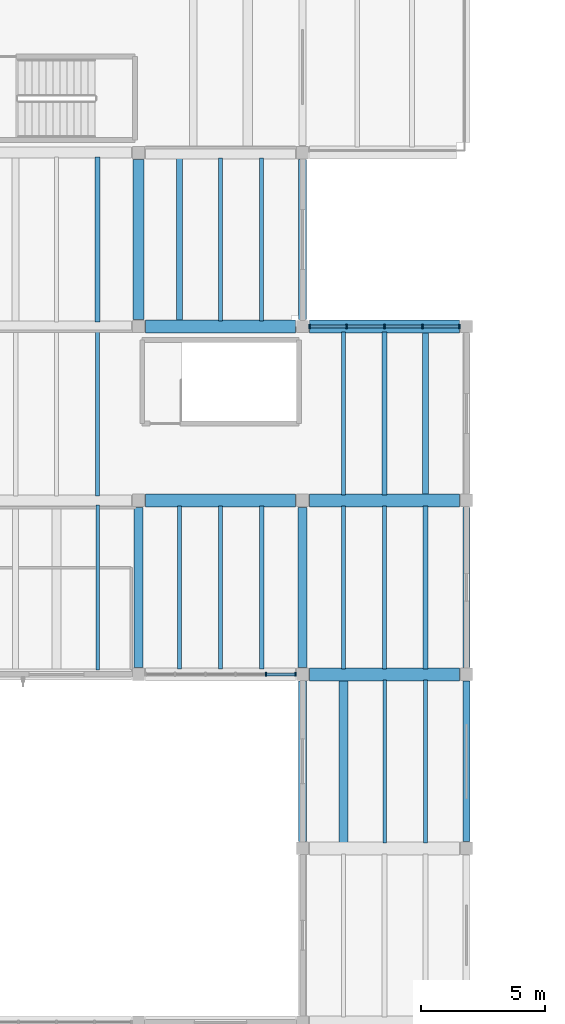
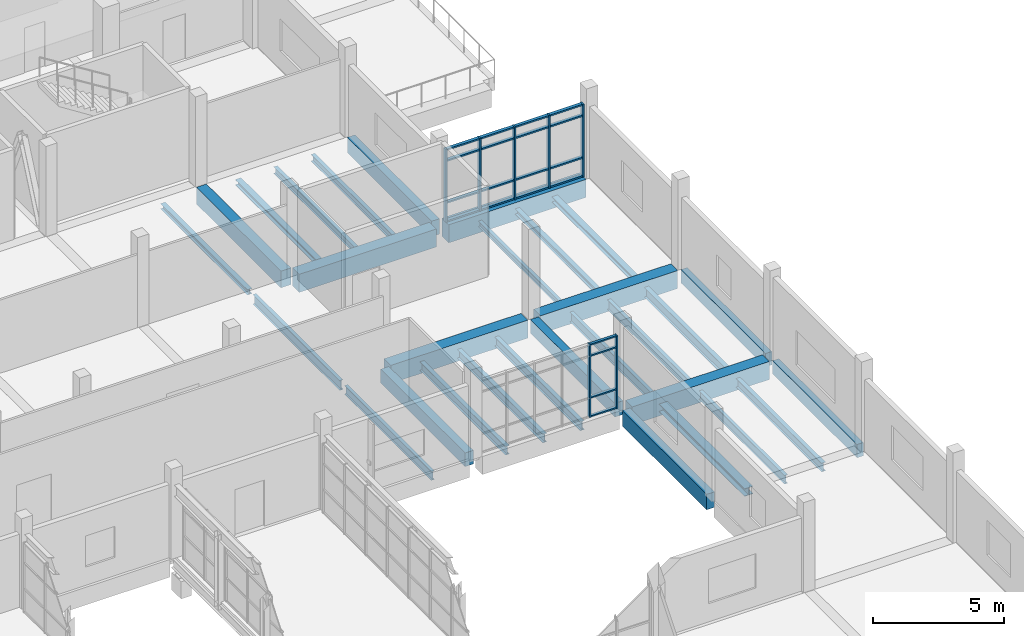
# One storey, part 30 of 65: 30 beams, 27 members, 2 elements without a shape of their own.
"""IFC4 building model written with IfcOpenShell, lengths in metres."""

from ifc_helpers import new_model, si_unit, direction, frame, origin, origin_2d, place, context, subcontext, project, spatial, rectangle, i_section, extrude, material, material_profile, profile_set, type_object, element, aggregate, save


model = new_model("IFC4")

# Units and contexts
model_context = context("Model", 3, precision=1e-05, world=origin(), true_north=direction((0.0, 1.0)))
body_context = subcontext(model_context, "Body", "Model", "MODEL_VIEW")
ifc_project = project(units=[si_unit("LENGTHUNIT", "METRE"), si_unit("AREAUNIT", "SQUARE_METRE"), si_unit("VOLUMEUNIT", "CUBIC_METRE"), si_unit("PLANEANGLEUNIT", "RADIAN"), si_unit("MASSUNIT", "GRAM", prefix="KILO")], contexts=[model_context])

# Site, building, storey
site_placement = place(None, origin())
site = spatial("IfcSite", under=ifc_project, at=site_placement, CompositionType="ELEMENT")
building_placement = place(site_placement, origin())
building = spatial("IfcBuilding", under=site, at=building_placement, Name="Ciguamira Faculty of Natural Sciences", CompositionType="ELEMENT")
storey_placement = place(building_placement, frame((0.0, 0.0, 12.60009765625)))
storey = spatial("IfcBuildingStorey", under=building, at=storey_placement, Name="L03", CompositionType="ELEMENT", Elevation=12.60009765625)

# Curtain wall, members
ifc_material_1 = material(Name="Anodized aluminium curtain wall", Category="aluminium")
curtain_wall_type_1 = type_object("IfcCurtainWallType", Name="CurtainWall_CW-10", PredefinedType="USERDEFINED", material=ifc_material_1)
curtain_wall_1_placement = place(storey_placement, origin())
curtain_wall_1 = element("IfcCurtainWall", 1, at=curtain_wall_1_placement, inside=storey, type_object=curtain_wall_type_1, Name="L03 unitised curtain wall 0094", ObjectType="UNITISED CURTAIN WALL", PredefinedType="USERDEFINED")
ifc_material_2 = material(Name="Anodized aluminium mullion", Category="aluminium")
ifc_material_profile_1 = material_profile(ifc_material_2, rectangle(XDim=0.06005859375, YDim=0.159912109375, at=origin_2d()), Name="ALU-MUL-60X160")
ifc_profile_set_1 = profile_set([ifc_material_profile_1], Name="Anodized aluminium mullion")
member_type_1 = type_object("IfcMemberType", Name="CWMullion_CWM-01", PredefinedType="MULLION", material=ifc_profile_set_1)
member_1_placement = place(storey_placement, frame((108.6298828125, 73.0, 0.0), z_axis=(0.0, 0.0, 1.0), x_axis=(1.0, 0.0, 0.0)))
member_1 = element("IfcMember", 2, at=member_1_placement, type_object=member_type_1, Name="CW-10 mullion 5", PredefinedType="MULLION", context=body_context, shape_type="SweptSolid", body=[
    extrude(rectangle(XDim=0.06005859375, YDim=0.159912109375, at=origin_2d()), origin(), (0.0, 0.0, 1.0), 3.40478515625),
])
member_2_placement = place(storey_placement, frame((109.820068359375, 73.0, 0.0), z_axis=(0.0, 0.0, 1.0), x_axis=(1.0, 0.0, 0.0)))
member_2 = element("IfcMember", 3, at=member_2_placement, type_object=member_type_1, Name="CW-10 mullion 6", PredefinedType="MULLION", context=body_context, shape_type="SweptSolid", body=[
    extrude(rectangle(XDim=0.06005859375, YDim=0.159912109375, at=origin_2d()), origin(), (0.0, 0.0, 1.0), 3.40478515625),
])

curtain_wall_type_2 = type_object("IfcCurtainWallType", Name="CurtainWall_CW-11", PredefinedType="USERDEFINED", material=ifc_material_1)
curtain_wall_2_placement = place(storey_placement, origin())
curtain_wall_2 = element("IfcCurtainWall", 4, at=curtain_wall_2_placement, inside=storey, type_object=curtain_wall_type_2, Name="L03 unitised curtain wall 0095", ObjectType="UNITISED CURTAIN WALL", PredefinedType="USERDEFINED")
ifc_material_profile_2 = material_profile(ifc_material_2, rectangle(XDim=0.070068359375, YDim=0.179931640625, at=origin_2d()), Name="ALU-MUL-70X180")
ifc_profile_set_2 = profile_set([ifc_material_profile_2], Name="Anodized aluminium mullion")
member_type_2 = type_object("IfcMemberType", Name="CWMullion_CWM-02", PredefinedType="MULLION", material=ifc_profile_set_2)
member_3_placement = place(storey_placement, frame((110.385009765625, 87.0, 0.0), z_axis=(0.0, 0.0, 1.0), x_axis=(1.0, 0.0, 0.0)))
member_3 = element("IfcMember", 5, at=member_3_placement, type_object=member_type_2, Name="CW-11 mullion 1", PredefinedType="MULLION", context=body_context, shape_type="SweptSolid", body=[
    extrude(rectangle(XDim=0.070068359375, YDim=0.179931640625, at=origin_2d()), origin(), (0.0, 0.0, 1.0), 3.40478515625),
])
member_4_placement = place(storey_placement, frame((111.875, 87.0, 0.0), z_axis=(0.0, 0.0, 1.0), x_axis=(1.0, 0.0, 0.0)))
member_4 = element("IfcMember", 6, at=member_4_placement, type_object=member_type_2, Name="CW-11 mullion 2", PredefinedType="MULLION", context=body_context, shape_type="SweptSolid", body=[
    extrude(rectangle(XDim=0.070068359375, YDim=0.179931640625, at=origin_2d()), origin(), (0.0, 0.0, 1.0), 3.40478515625),
])
member_5_placement = place(storey_placement, frame((113.39990234375, 87.0, 0.0), z_axis=(0.0, 0.0, 1.0), x_axis=(1.0, 0.0, 0.0)))
member_5 = element("IfcMember", 7, at=member_5_placement, type_object=member_type_2, Name="CW-11 mullion 3", PredefinedType="MULLION", context=body_context, shape_type="SweptSolid", body=[
    extrude(rectangle(XDim=0.070068359375, YDim=0.179931640625, at=origin_2d()), origin(), (0.0, 0.0, 1.0), 3.40478515625),
])
member_6_placement = place(storey_placement, frame((114.925048828125, 87.0, 0.0), z_axis=(0.0, 0.0, 1.0), x_axis=(1.0, 0.0, 0.0)))
member_6 = element("IfcMember", 8, at=member_6_placement, type_object=member_type_2, Name="CW-11 mullion 4", PredefinedType="MULLION", context=body_context, shape_type="SweptSolid", body=[
    extrude(rectangle(XDim=0.070068359375, YDim=0.179931640625, at=origin_2d()), origin(), (0.0, 0.0, 1.0), 3.40478515625),
])
member_7_placement = place(storey_placement, frame((116.4150390625, 87.0, 0.0), z_axis=(0.0, 0.0, 1.0), x_axis=(1.0, 0.0, 0.0)))
member_7 = element("IfcMember", 9, at=member_7_placement, type_object=member_type_2, Name="CW-11 mullion 5", PredefinedType="MULLION", context=body_context, shape_type="SweptSolid", body=[
    extrude(rectangle(XDim=0.070068359375, YDim=0.179931640625, at=origin_2d()), origin(), (0.0, 0.0, 1.0), 3.40478515625),
])

# Member
ifc_material_3 = material(Name="Anodized aluminium transom", Category="aluminium")
ifc_material_profile_3 = material_profile(ifc_material_3, rectangle(XDim=0.06005859375, YDim=0.1201171875, at=origin_2d()), Name="ALU-TRN-60X120")
ifc_profile_set_3 = profile_set([ifc_material_profile_3], Name="Anodized aluminium transom")
member_type_3 = type_object("IfcMemberType", Name="CWTransom_CWT-01", PredefinedType="USERDEFINED", material=ifc_profile_set_3)
member_8_placement = place(storey_placement, frame((108.659912109375, 73.0, 0.02978515625), z_axis=(1.0, 0.0, 0.0), x_axis=(0.0, 0.0, 1.0)))
member_8 = element("IfcMember", 10, at=member_8_placement, type_object=member_type_3, Name="CW-10 transom 5.1", ObjectType="TRANSOM", PredefinedType="USERDEFINED", context=body_context, shape_type="SweptSolid", body=[
    extrude(rectangle(XDim=0.06005859375, YDim=0.1201171875, at=origin_2d()), origin(), (0.0, 0.0, 1.0), 1.130126953125),
])

member_9_placement = place(storey_placement, frame((108.659912109375, 73.0, 0.89990234375), z_axis=(1.0, 0.0, 0.0), x_axis=(0.0, 0.0, 1.0)))
member_9 = element("IfcMember", 11, at=member_9_placement, type_object=member_type_3, Name="CW-10 transom 5.2", ObjectType="TRANSOM", PredefinedType="USERDEFINED", context=body_context, shape_type="SweptSolid", body=[
    extrude(rectangle(XDim=0.06005859375, YDim=0.1201171875, at=origin_2d()), origin(), (0.0, 0.0, 1.0), 1.130126953125),
])

member_10_placement = place(storey_placement, frame((108.659912109375, 73.0, 2.85498046875), z_axis=(1.0, 0.0, 0.0), x_axis=(0.0, 0.0, 1.0)))
member_10 = element("IfcMember", 12, at=member_10_placement, type_object=member_type_3, Name="CW-10 transom 5.3", ObjectType="TRANSOM", PredefinedType="USERDEFINED", context=body_context, shape_type="SweptSolid", body=[
    extrude(rectangle(XDim=0.06005859375, YDim=0.1201171875, at=origin_2d()), origin(), (0.0, 0.0, 1.0), 1.130126953125),
])

member_11_placement = place(storey_placement, frame((108.659912109375, 73.0, 3.375), z_axis=(1.0, 0.0, 0.0), x_axis=(0.0, 0.0, 1.0)))
member_11 = element("IfcMember", 13, at=member_11_placement, type_object=member_type_3, Name="CW-10 transom 5.4", ObjectType="TRANSOM", PredefinedType="USERDEFINED", context=body_context, shape_type="SweptSolid", body=[
    extrude(rectangle(XDim=0.06005859375, YDim=0.1201171875, at=origin_2d()), origin(), (0.0, 0.0, 1.0), 1.130126953125),
])

aggregate(curtain_wall_1, [member_1, member_2, member_8, member_9, member_10, member_11])

ifc_material_profile_4 = material_profile(ifc_material_3, rectangle(XDim=0.070068359375, YDim=0.139892578125, at=origin_2d()), Name="ALU-TRN-70X140")
ifc_profile_set_4 = profile_set([ifc_material_profile_4], Name="Anodized aluminium transom")
member_type_4 = type_object("IfcMemberType", Name="CWTransom_CWT-02", PredefinedType="USERDEFINED", material=ifc_profile_set_4)
member_12_placement = place(storey_placement, frame((110.419921875, 87.0, 0.034912109375), z_axis=(1.0, 0.0, 0.0), x_axis=(0.0, 0.0, 1.0)))
member_12 = element("IfcMember", 14, at=member_12_placement, type_object=member_type_4, Name="CW-11 transom 1.1", ObjectType="TRANSOM", PredefinedType="USERDEFINED", context=body_context, shape_type="SweptSolid", body=[
    extrude(rectangle(XDim=0.070068359375, YDim=0.139892578125, at=origin_2d()), origin(), (0.0, 0.0, 1.0), 1.420166015625),
])

member_13_placement = place(storey_placement, frame((110.419921875, 87.0, 0.89990234375), z_axis=(1.0, 0.0, 0.0), x_axis=(0.0, 0.0, 1.0)))
member_13 = element("IfcMember", 15, at=member_13_placement, type_object=member_type_4, Name="CW-11 transom 1.2", ObjectType="TRANSOM", PredefinedType="USERDEFINED", context=body_context, shape_type="SweptSolid", body=[
    extrude(rectangle(XDim=0.070068359375, YDim=0.139892578125, at=origin_2d()), origin(), (0.0, 0.0, 1.0), 1.420166015625),
])

member_14_placement = place(storey_placement, frame((110.419921875, 87.0, 2.85498046875), z_axis=(1.0, 0.0, 0.0), x_axis=(0.0, 0.0, 1.0)))
member_14 = element("IfcMember", 16, at=member_14_placement, type_object=member_type_4, Name="CW-11 transom 1.3", ObjectType="TRANSOM", PredefinedType="USERDEFINED", context=body_context, shape_type="SweptSolid", body=[
    extrude(rectangle(XDim=0.070068359375, YDim=0.139892578125, at=origin_2d()), origin(), (0.0, 0.0, 1.0), 1.420166015625),
])

member_15_placement = place(storey_placement, frame((110.419921875, 87.0, 3.369873046875), z_axis=(1.0, 0.0, 0.0), x_axis=(0.0, 0.0, 1.0)))
member_15 = element("IfcMember", 17, at=member_15_placement, type_object=member_type_4, Name="CW-11 transom 1.4", ObjectType="TRANSOM", PredefinedType="USERDEFINED", context=body_context, shape_type="SweptSolid", body=[
    extrude(rectangle(XDim=0.070068359375, YDim=0.139892578125, at=origin_2d()), origin(), (0.0, 0.0, 1.0), 1.420166015625),
])

member_16_placement = place(storey_placement, frame((111.909912109375, 87.0, 0.034912109375), z_axis=(1.0, 0.0, 0.0), x_axis=(0.0, 0.0, 1.0)))
member_16 = element("IfcMember", 18, at=member_16_placement, type_object=member_type_4, Name="CW-11 transom 2.1", ObjectType="TRANSOM", PredefinedType="USERDEFINED", context=body_context, shape_type="SweptSolid", body=[
    extrude(rectangle(XDim=0.070068359375, YDim=0.139892578125, at=origin_2d()), origin(), (0.0, 0.0, 1.0), 1.455078125),
])

member_17_placement = place(storey_placement, frame((111.909912109375, 87.0, 0.89990234375), z_axis=(1.0, 0.0, 0.0), x_axis=(0.0, 0.0, 1.0)))
member_17 = element("IfcMember", 19, at=member_17_placement, type_object=member_type_4, Name="CW-11 transom 2.2", ObjectType="TRANSOM", PredefinedType="USERDEFINED", context=body_context, shape_type="SweptSolid", body=[
    extrude(rectangle(XDim=0.070068359375, YDim=0.139892578125, at=origin_2d()), origin(), (0.0, 0.0, 1.0), 1.455078125),
])

member_18_placement = place(storey_placement, frame((111.909912109375, 87.0, 2.85498046875), z_axis=(1.0, 0.0, 0.0), x_axis=(0.0, 0.0, 1.0)))
member_18 = element("IfcMember", 20, at=member_18_placement, type_object=member_type_4, Name="CW-11 transom 2.3", ObjectType="TRANSOM", PredefinedType="USERDEFINED", context=body_context, shape_type="SweptSolid", body=[
    extrude(rectangle(XDim=0.070068359375, YDim=0.139892578125, at=origin_2d()), origin(), (0.0, 0.0, 1.0), 1.455078125),
])

member_19_placement = place(storey_placement, frame((111.909912109375, 87.0, 3.369873046875), z_axis=(1.0, 0.0, 0.0), x_axis=(0.0, 0.0, 1.0)))
member_19 = element("IfcMember", 21, at=member_19_placement, type_object=member_type_4, Name="CW-11 transom 2.4", ObjectType="TRANSOM", PredefinedType="USERDEFINED", context=body_context, shape_type="SweptSolid", body=[
    extrude(rectangle(XDim=0.070068359375, YDim=0.139892578125, at=origin_2d()), origin(), (0.0, 0.0, 1.0), 1.455078125),
])

member_20_placement = place(storey_placement, frame((113.43505859375, 87.0, 0.034912109375), z_axis=(1.0, 0.0, 0.0), x_axis=(0.0, 0.0, 1.0)))
member_20 = element("IfcMember", 22, at=member_20_placement, type_object=member_type_4, Name="CW-11 transom 3.1", ObjectType="TRANSOM", PredefinedType="USERDEFINED", context=body_context, shape_type="SweptSolid", body=[
    extrude(rectangle(XDim=0.070068359375, YDim=0.139892578125, at=origin_2d()), origin(), (0.0, 0.0, 1.0), 1.454833984375),
])

member_21_placement = place(storey_placement, frame((113.43505859375, 87.0, 0.89990234375), z_axis=(1.0, 0.0, 0.0), x_axis=(0.0, 0.0, 1.0)))
member_21 = element("IfcMember", 23, at=member_21_placement, type_object=member_type_4, Name="CW-11 transom 3.2", ObjectType="TRANSOM", PredefinedType="USERDEFINED", context=body_context, shape_type="SweptSolid", body=[
    extrude(rectangle(XDim=0.070068359375, YDim=0.139892578125, at=origin_2d()), origin(), (0.0, 0.0, 1.0), 1.454833984375),
])

member_22_placement = place(storey_placement, frame((113.43505859375, 87.0, 2.85498046875), z_axis=(1.0, 0.0, 0.0), x_axis=(0.0, 0.0, 1.0)))
member_22 = element("IfcMember", 24, at=member_22_placement, type_object=member_type_4, Name="CW-11 transom 3.3", ObjectType="TRANSOM", PredefinedType="USERDEFINED", context=body_context, shape_type="SweptSolid", body=[
    extrude(rectangle(XDim=0.070068359375, YDim=0.139892578125, at=origin_2d()), origin(), (0.0, 0.0, 1.0), 1.454833984375),
])

member_23_placement = place(storey_placement, frame((113.43505859375, 87.0, 3.369873046875), z_axis=(1.0, 0.0, 0.0), x_axis=(0.0, 0.0, 1.0)))
member_23 = element("IfcMember", 25, at=member_23_placement, type_object=member_type_4, Name="CW-11 transom 3.4", ObjectType="TRANSOM", PredefinedType="USERDEFINED", context=body_context, shape_type="SweptSolid", body=[
    extrude(rectangle(XDim=0.070068359375, YDim=0.139892578125, at=origin_2d()), origin(), (0.0, 0.0, 1.0), 1.454833984375),
])

member_24_placement = place(storey_placement, frame((114.9599609375, 87.0, 0.034912109375), z_axis=(1.0, 0.0, 0.0), x_axis=(0.0, 0.0, 1.0)))
member_24 = element("IfcMember", 26, at=member_24_placement, type_object=member_type_4, Name="CW-11 transom 4.1", ObjectType="TRANSOM", PredefinedType="USERDEFINED", context=body_context, shape_type="SweptSolid", body=[
    extrude(rectangle(XDim=0.070068359375, YDim=0.139892578125, at=origin_2d()), origin(), (0.0, 0.0, 1.0), 1.419921875),
])

member_25_placement = place(storey_placement, frame((114.9599609375, 87.0, 0.89990234375), z_axis=(1.0, 0.0, 0.0), x_axis=(0.0, 0.0, 1.0)))
member_25 = element("IfcMember", 27, at=member_25_placement, type_object=member_type_4, Name="CW-11 transom 4.2", ObjectType="TRANSOM", PredefinedType="USERDEFINED", context=body_context, shape_type="SweptSolid", body=[
    extrude(rectangle(XDim=0.070068359375, YDim=0.139892578125, at=origin_2d()), origin(), (0.0, 0.0, 1.0), 1.419921875),
])

member_26_placement = place(storey_placement, frame((114.9599609375, 87.0, 2.85498046875), z_axis=(1.0, 0.0, 0.0), x_axis=(0.0, 0.0, 1.0)))
member_26 = element("IfcMember", 28, at=member_26_placement, type_object=member_type_4, Name="CW-11 transom 4.3", ObjectType="TRANSOM", PredefinedType="USERDEFINED", context=body_context, shape_type="SweptSolid", body=[
    extrude(rectangle(XDim=0.070068359375, YDim=0.139892578125, at=origin_2d()), origin(), (0.0, 0.0, 1.0), 1.419921875),
])

member_27_placement = place(storey_placement, frame((114.9599609375, 87.0, 3.369873046875), z_axis=(1.0, 0.0, 0.0), x_axis=(0.0, 0.0, 1.0)))
member_27 = element("IfcMember", 29, at=member_27_placement, type_object=member_type_4, Name="CW-11 transom 4.4", ObjectType="TRANSOM", PredefinedType="USERDEFINED", context=body_context, shape_type="SweptSolid", body=[
    extrude(rectangle(XDim=0.070068359375, YDim=0.139892578125, at=origin_2d()), origin(), (0.0, 0.0, 1.0), 1.419921875),
])

aggregate(curtain_wall_2, [member_3, member_4, member_5, member_6, member_7, member_12, member_13, member_14, member_15, member_16, member_17, member_18, member_19, member_20, member_21, member_22, member_23, member_24, member_25, member_26, member_27])

# Beams
ifc_material_4 = material(Name="Concrete C40/50", Category="concrete")
ifc_material_profile_5 = material_profile(ifc_material_4, rectangle(XDim=0.43994140625, YDim=0.780029296875, at=origin_2d()), Name="RC-BM-440X780")
ifc_profile_set_5 = profile_set([ifc_material_profile_5], Name="Concrete C40/50")
beam_type_1 = type_object("IfcBeamType", Name="RCBeam_BG-06_RC-BM-440X780", PredefinedType="BEAM", material=ifc_profile_set_5)
beam_1_placement = place(storey_placement, frame((103.5, 87.27490234375, -0.39013671875), z_axis=(0.0, 1.0, 0.0), x_axis=(-1.0, 0.0, 0.0)))
element("IfcBeam", 30, at=beam_1_placement, inside=storey, type_object=beam_type_1, Name="L03 girder NS-1291", PredefinedType="BEAM", context=body_context, shape_type="SweptSolid", body=[
    extrude(rectangle(XDim=0.43994140625, YDim=0.780029296875, at=origin_2d()), origin(), (0.0, 0.0, 1.0), 6.4501953125),
])
ifc_material_profile_6 = material_profile(ifc_material_4, rectangle(XDim=0.360107421875, YDim=0.639892578125, at=origin_2d()), Name="RC-BM-360X640")
ifc_profile_set_6 = profile_set([ifc_material_profile_6], Name="Concrete C40/50")
beam_type_2 = type_object("IfcBeamType", Name="RCBeam_BG-10_RC-BM-360X640", PredefinedType="BEAM", material=ifc_profile_set_6)
for number, where, z_axis, x_axis, name in (
    (31, (103.5, 73.27490234375, -0.320068359375), (0.0, 1.0, 0.0), (-1.0, 0.0, 0.0), "L03 girder NS-1290"),
    (32, (110.10009765625, 73.27490234375, -0.320068359375), (0.0, 1.0, 0.0), (-1.0, 0.0, 0.0), "L03 girder NS-1302"),
):
    element("IfcBeam", number, at=place(storey_placement, frame(where, z_axis=z_axis, x_axis=x_axis)), inside=storey, type_object=beam_type_2, Name=name, PredefinedType="BEAM", context=body_context, shape_type="SweptSolid", body=[
        extrude(rectangle(XDim=0.360107421875, YDim=0.639892578125, at=origin_2d()), origin(), (0.0, 0.0, 1.0), 6.4501953125),
    ])
ifc_material_5 = material(Name="Precast concrete C40/50", Category="concrete")
ifc_material_profile_7 = material_profile(ifc_material_5, rectangle(XDim=0.280029296875, YDim=0.6201171875, at=origin_2d()), Name="RC-SP-280X620")
ifc_profile_set_7 = profile_set([ifc_material_profile_7], Name="Precast concrete C40/50")
beam_type_3 = type_object("IfcBeamType", Name="RCBeam_SP-01_RC-SP-280X620", PredefinedType="SPANDREL", material=ifc_profile_set_7)
for number, where, z_axis, x_axis, name in (
    (33, (116.699951171875, 66.27490234375, -0.31005859375), (0.0, 1.0, 0.0), (-1.0, 0.0, 0.0), "L03 girder NS-1313"),
    (34, (116.699951171875, 73.27490234375, -0.31005859375), (0.0, 1.0, 0.0), (-1.0, 0.0, 0.0), "L03 girder NS-1314"),
):
    element("IfcBeam", number, at=place(storey_placement, frame(where, z_axis=z_axis, x_axis=x_axis)), inside=storey, type_object=beam_type_3, Name=name, PredefinedType="SPANDREL", context=body_context, shape_type="SweptSolid", body=[
        extrude(rectangle(XDim=0.280029296875, YDim=0.6201171875, at=origin_2d()), origin(), (0.0, 0.0, 1.0), 6.4501953125),
    ])
ifc_material_profile_8 = material_profile(ifc_material_5, rectangle(XDim=0.340087890625, YDim=0.719970703125, at=origin_2d()), Name="RC-SP-340X720")
ifc_profile_set_8 = profile_set([ifc_material_profile_8], Name="Precast concrete C40/50")
beam_type_4 = type_object("IfcBeamType", Name="RCBeam_SP-03_RC-SP-340X720", PredefinedType="SPANDREL", material=ifc_profile_set_8)
for number, where, z_axis, x_axis, name in (
    (35, (110.10009765625, 66.27490234375, -0.360107421875), (0.0, 1.0, 0.0), (-1.0, 0.0, 0.0), "L03 girder NS-1301"),
    (36, (110.10009765625, 87.27490234375, -0.360107421875), (0.0, 1.0, 0.0), (-1.0, 0.0, 0.0), "L03 girder NS-1303"),
):
    element("IfcBeam", number, at=place(storey_placement, frame(where, z_axis=z_axis, x_axis=x_axis)), inside=storey, type_object=beam_type_4, Name=name, PredefinedType="SPANDREL", context=body_context, shape_type="SweptSolid", body=[
        extrude(rectangle(XDim=0.340087890625, YDim=0.719970703125, at=origin_2d()), origin(), (0.0, 0.0, 1.0), 6.4501953125),
    ])
ifc_material_profile_9 = material_profile(ifc_material_4, rectangle(XDim=0.52001953125, YDim=0.840087890625, at=origin_2d()), Name="RC-TB-520X840")
ifc_profile_set_9 = profile_set([ifc_material_profile_9], Name="Concrete C40/50")
beam_type_5 = type_object("IfcBeamType", Name="RCBeam_TB-02_RC-TB-520X840", PredefinedType="T_BEAM", material=ifc_profile_set_9)
for number, where, z_axis, x_axis, name in (
    (37, (110.375, 73.0, -0.420166015625), (1.0, 0.0, 0.0), (0.0, 1.0, 0.0), "L03 RC girder EW-1128"),
    (38, (103.77490234375, 80.0, -0.420166015625), (1.0, 0.0, 0.0), (0.0, 1.0, 0.0), "L03 RC girder EW-1136"),
    (39, (110.375, 80.0, -0.420166015625), (1.0, 0.0, 0.0), (0.0, 1.0, 0.0), "L03 RC girder EW-1137"),
    (40, (103.77490234375, 87.0, -0.420166015625), (1.0, 0.0, 0.0), (0.0, 1.0, 0.0), "L03 RC girder EW-1145"),
    (41, (110.375, 87.0, -0.420166015625), (1.0, 0.0, 0.0), (0.0, 1.0, 0.0), "L03 RC girder EW-1146"),
):
    element("IfcBeam", number, at=place(storey_placement, frame(where, z_axis=z_axis, x_axis=x_axis)), inside=storey, type_object=beam_type_5, Name=name, PredefinedType="T_BEAM", context=body_context, shape_type="SweptSolid", body=[
        extrude(rectangle(XDim=0.52001953125, YDim=0.840087890625, at=origin_2d()), origin(), (0.0, 0.0, 1.0), 6.050048828125),
    ])
ifc_material_6 = material(Name="Steel ASTM A992 Grade 50", Category="steel")
ifc_material_profile_10 = material_profile(ifc_material_6, i_section(OverallWidth=0.14599609375, OverallDepth=0.259033203125, WebThickness=0.006103515625, FlangeThickness=0.009033203125, at=origin_2d()), Name="W10X22")
ifc_profile_set_10 = profile_set([ifc_material_profile_10], Name="Steel ASTM A992 Grade 50")
beam_type_6 = type_object("IfcBeamType", Name="SteelJoist_SJ-01_W10X22", PredefinedType="JOIST", material=ifc_profile_set_10)
beam_2_placement = place(storey_placement, frame((111.75, 80.219970703125, -0.40966796875), z_axis=(0.0, 1.0, 0.0), x_axis=(-1.0, 0.0, 0.0)))
element("IfcBeam", 42, at=beam_2_placement, inside=storey, type_object=beam_type_6, Name="L03 composite steel joist 01252", PredefinedType="JOIST", context=body_context, shape_type="SweptSolid", body=[
    extrude(i_section(OverallWidth=0.14599609375, OverallDepth=0.259033203125, WebThickness=0.006103515625, FlangeThickness=0.009033203125, at=origin_2d()), origin(), (0.0, 0.0, 1.0), 6.56005859375),
])
ifc_material_profile_11 = material_profile(ifc_material_6, i_section(OverallWidth=0.2021484375, OverallDepth=0.2470703125, WebThickness=0.00732421875, FlangeThickness=0.010986328125, at=origin_2d()), Name="W10X33")
ifc_profile_set_11 = profile_set([ifc_material_profile_11], Name="Steel ASTM A992 Grade 50")
beam_type_7 = type_object("IfcBeamType", Name="SteelJoist_SJ-02_W10X33", PredefinedType="JOIST", material=ifc_profile_set_11)
beam_3_placement = place(storey_placement, frame((101.85009765625, 87.18505859375, -0.40380859375), z_axis=(0.0, 1.0, 0.0), x_axis=(-1.0, 0.0, 0.0)))
element("IfcBeam", 43, at=beam_3_placement, inside=storey, type_object=beam_type_7, Name="L03 composite steel joist 01199", PredefinedType="JOIST", context=body_context, shape_type="SweptSolid", body=[
    extrude(i_section(OverallWidth=0.2021484375, OverallDepth=0.2470703125, WebThickness=0.00732421875, FlangeThickness=0.010986328125, at=origin_2d()), origin(), (0.0, 0.0, 1.0), 6.6298828125),
])
beam_4_placement = place(storey_placement, frame((113.39990234375, 80.219970703125, -0.40380859375), z_axis=(0.0, 1.0, 0.0), x_axis=(-1.0, 0.0, 0.0)))
element("IfcBeam", 44, at=beam_4_placement, inside=storey, type_object=beam_type_7, Name="L03 composite steel joist 01253", PredefinedType="JOIST", context=body_context, shape_type="SweptSolid", body=[
    extrude(i_section(OverallWidth=0.2021484375, OverallDepth=0.2470703125, WebThickness=0.00732421875, FlangeThickness=0.010986328125, at=origin_2d()), origin(), (0.0, 0.0, 1.0), 6.56005859375),
])
ifc_material_profile_12 = material_profile(ifc_material_6, i_section(OverallWidth=0.25390625, OverallDepth=0.25390625, WebThickness=0.008544921875, FlangeThickness=0.01416015625, at=origin_2d()), Name="W10X49")
ifc_profile_set_12 = profile_set([ifc_material_profile_12], Name="Steel ASTM A992 Grade 50")
beam_type_8 = type_object("IfcBeamType", Name="SteelJoist_SJ-03_W10X49", PredefinedType="JOIST", material=ifc_profile_set_12)
for number, where, z_axis, x_axis, name in (
    (45, (105.14990234375, 87.219970703125, -0.406982421875), (0.0, 1.0, 0.0), (-1.0, 0.0, 0.0), "L03 composite steel joist 01222"),
    (46, (115.050048828125, 80.219970703125, -0.406982421875), (0.0, 1.0, 0.0), (-1.0, 0.0, 0.0), "L03 composite steel joist 01254"),
):
    element("IfcBeam", number, at=place(storey_placement, frame(where, z_axis=z_axis, x_axis=x_axis)), inside=storey, type_object=beam_type_8, Name=name, PredefinedType="JOIST", context=body_context, shape_type="SweptSolid", body=[
        extrude(i_section(OverallWidth=0.25390625, OverallDepth=0.25390625, WebThickness=0.008544921875, FlangeThickness=0.01416015625, at=origin_2d()), origin(), (0.0, 0.0, 1.0), 6.56005859375),
    ])
ifc_material_profile_13 = material_profile(ifc_material_6, i_section(OverallWidth=0.164794921875, OverallDepth=0.309814453125, WebThickness=0.005859375, FlangeThickness=0.009765625, at=origin_2d()), Name="W12X26")
ifc_profile_set_13 = profile_set([ifc_material_profile_13], Name="Steel ASTM A992 Grade 50")
beam_type_9 = type_object("IfcBeamType", Name="SteelJoist_SJ-04_W12X26", PredefinedType="JOIST", material=ifc_profile_set_13)
beam_5_placement = place(storey_placement, frame((106.800048828125, 87.219970703125, -0.43505859375), z_axis=(0.0, 1.0, 0.0), x_axis=(-1.0, 0.0, 0.0)))
element("IfcBeam", 47, at=beam_5_placement, inside=storey, type_object=beam_type_9, Name="L03 composite steel joist 01223", PredefinedType="JOIST", context=body_context, shape_type="SweptSolid", body=[
    extrude(i_section(OverallWidth=0.164794921875, OverallDepth=0.309814453125, WebThickness=0.005859375, FlangeThickness=0.009765625, at=origin_2d()), origin(), (0.0, 0.0, 1.0), 6.56005859375),
])
ifc_material_profile_14 = material_profile(ifc_material_6, i_section(OverallWidth=0.16650390625, OverallDepth=0.3173828125, WebThickness=0.007568359375, FlangeThickness=0.01318359375, at=origin_2d()), Name="W12X35")
ifc_profile_set_14 = profile_set([ifc_material_profile_14], Name="Steel ASTM A992 Grade 50")
beam_type_10 = type_object("IfcBeamType", Name="SteelJoist_SJ-05_W12X35", PredefinedType="JOIST", material=ifc_profile_set_14)
beam_6_placement = place(storey_placement, frame((108.449951171875, 87.219970703125, -0.438720703125), z_axis=(0.0, 1.0, 0.0), x_axis=(-1.0, 0.0, 0.0)))
element("IfcBeam", 48, at=beam_6_placement, inside=storey, type_object=beam_type_10, Name="L03 composite steel joist 01224", PredefinedType="JOIST", context=body_context, shape_type="SweptSolid", body=[
    extrude(i_section(OverallWidth=0.16650390625, OverallDepth=0.3173828125, WebThickness=0.007568359375, FlangeThickness=0.01318359375, at=origin_2d()), origin(), (0.0, 0.0, 1.0), 6.56005859375),
])
ifc_material_profile_15 = material_profile(ifc_material_6, i_section(OverallWidth=0.368408203125, OverallDepth=0.355712890625, WebThickness=0.01123046875, FlangeThickness=0.01806640625, at=origin_2d()), Name="W14X90")
ifc_profile_set_15 = profile_set([ifc_material_profile_15], Name="Steel ASTM A992 Grade 50")
beam_type_11 = type_object("IfcBeamType", Name="SteelJoist_SJ-16_W14X90", PredefinedType="JOIST", material=ifc_profile_set_15)
beam_7_placement = place(storey_placement, frame((111.75, 66.219970703125, -0.4580078125), z_axis=(0.0, 1.0, 0.0), x_axis=(-1.0, 0.0, 0.0)))
element("IfcBeam", 49, at=beam_7_placement, inside=storey, type_object=beam_type_11, Name="L03 composite steel joist 01246", PredefinedType="JOIST", context=body_context, shape_type="SweptSolid", body=[
    extrude(i_section(OverallWidth=0.368408203125, OverallDepth=0.355712890625, WebThickness=0.01123046875, FlangeThickness=0.01806640625, at=origin_2d()), origin(), (0.0, 0.0, 1.0), 6.56005859375),
])
ifc_material_profile_16 = material_profile(ifc_material_6, i_section(OverallWidth=0.140380859375, OverallDepth=0.40380859375, WebThickness=0.007080078125, FlangeThickness=0.01123046875, at=origin_2d()), Name="W16X31")
ifc_profile_set_16 = profile_set([ifc_material_profile_16], Name="Steel ASTM A992 Grade 50")
beam_type_12 = type_object("IfcBeamType", Name="SteelJoist_SJ-17_W16X31", PredefinedType="JOIST", material=ifc_profile_set_16)
beam_8_placement = place(storey_placement, frame((101.85009765625, 73.18505859375, -0.48193359375), z_axis=(0.0, 1.0, 0.0), x_axis=(-1.0, 0.0, 0.0)))
element("IfcBeam", 50, at=beam_8_placement, inside=storey, type_object=beam_type_12, Name="L03 composite steel joist 01193", PredefinedType="JOIST", context=body_context, shape_type="SweptSolid", body=[
    extrude(i_section(OverallWidth=0.140380859375, OverallDepth=0.40380859375, WebThickness=0.007080078125, FlangeThickness=0.01123046875, at=origin_2d()), origin(), (0.0, 0.0, 1.0), 6.6298828125),
])
beam_9_placement = place(storey_placement, frame((113.39990234375, 66.219970703125, -0.48193359375), z_axis=(0.0, 1.0, 0.0), x_axis=(-1.0, 0.0, 0.0)))
element("IfcBeam", 51, at=beam_9_placement, inside=storey, type_object=beam_type_12, Name="L03 composite steel joist 01247", PredefinedType="JOIST", context=body_context, shape_type="SweptSolid", body=[
    extrude(i_section(OverallWidth=0.140380859375, OverallDepth=0.40380859375, WebThickness=0.007080078125, FlangeThickness=0.01123046875, at=origin_2d()), origin(), (0.0, 0.0, 1.0), 6.56005859375),
])
ifc_material_profile_17 = material_profile(ifc_material_6, i_section(OverallWidth=0.177490234375, OverallDepth=0.40380859375, WebThickness=0.007568359375, FlangeThickness=0.010986328125, at=origin_2d()), Name="W16X36")
ifc_profile_set_17 = profile_set([ifc_material_profile_17], Name="Steel ASTM A992 Grade 50")
beam_type_13 = type_object("IfcBeamType", Name="SteelJoist_SJ-18_W16X36", PredefinedType="JOIST", material=ifc_profile_set_17)
for number, where, z_axis, x_axis, name in (
    (52, (105.14990234375, 73.219970703125, -0.48193359375), (0.0, 1.0, 0.0), (-1.0, 0.0, 0.0), "L03 composite steel joist 01219"),
    (53, (115.050048828125, 66.219970703125, -0.48193359375), (0.0, 1.0, 0.0), (-1.0, 0.0, 0.0), "L03 composite steel joist 01248"),
):
    element("IfcBeam", number, at=place(storey_placement, frame(where, z_axis=z_axis, x_axis=x_axis)), inside=storey, type_object=beam_type_13, Name=name, PredefinedType="JOIST", context=body_context, shape_type="SweptSolid", body=[
        extrude(i_section(OverallWidth=0.177490234375, OverallDepth=0.40380859375, WebThickness=0.007568359375, FlangeThickness=0.010986328125, at=origin_2d()), origin(), (0.0, 0.0, 1.0), 6.56005859375),
    ])
ifc_material_profile_18 = material_profile(ifc_material_6, i_section(OverallWidth=0.1787109375, OverallDepth=0.408935546875, WebThickness=0.0087890625, FlangeThickness=0.014404296875, at=origin_2d()), Name="W16X45")
ifc_profile_set_18 = profile_set([ifc_material_profile_18], Name="Steel ASTM A992 Grade 50")
beam_type_14 = type_object("IfcBeamType", Name="SteelJoist_SJ-19_W16X45", PredefinedType="JOIST", material=ifc_profile_set_18)
beam_10_placement = place(storey_placement, frame((106.800048828125, 73.219970703125, -0.484619140625), z_axis=(0.0, 1.0, 0.0), x_axis=(-1.0, 0.0, 0.0)))
element("IfcBeam", 54, at=beam_10_placement, inside=storey, type_object=beam_type_14, Name="L03 composite steel joist 01220", PredefinedType="JOIST", context=body_context, shape_type="SweptSolid", body=[
    extrude(i_section(OverallWidth=0.1787109375, OverallDepth=0.408935546875, WebThickness=0.0087890625, FlangeThickness=0.014404296875, at=origin_2d()), origin(), (0.0, 0.0, 1.0), 6.56005859375),
])
ifc_material_profile_19 = material_profile(ifc_material_6, i_section(OverallWidth=0.180908203125, OverallDepth=0.41650390625, WebThickness=0.010986328125, FlangeThickness=0.01806640625, at=origin_2d()), Name="W16X57")
ifc_profile_set_19 = profile_set([ifc_material_profile_19], Name="Steel ASTM A992 Grade 50")
beam_type_15 = type_object("IfcBeamType", Name="SteelJoist_SJ-20_W16X57", PredefinedType="JOIST", material=ifc_profile_set_19)
beam_11_placement = place(storey_placement, frame((108.449951171875, 73.219970703125, -0.48828125), z_axis=(0.0, 1.0, 0.0), x_axis=(-1.0, 0.0, 0.0)))
element("IfcBeam", 55, at=beam_11_placement, inside=storey, type_object=beam_type_15, Name="L03 composite steel joist 01221", PredefinedType="JOIST", context=body_context, shape_type="SweptSolid", body=[
    extrude(i_section(OverallWidth=0.180908203125, OverallDepth=0.41650390625, WebThickness=0.010986328125, FlangeThickness=0.01806640625, at=origin_2d()), origin(), (0.0, 0.0, 1.0), 6.56005859375),
])
ifc_material_profile_20 = material_profile(ifc_material_6, i_section(OverallWidth=0.15234375, OverallDepth=0.449462890625, WebThickness=0.007568359375, FlangeThickness=0.0107421875, at=origin_2d()), Name="W18X35")
ifc_profile_set_20 = profile_set([ifc_material_profile_20], Name="Steel ASTM A992 Grade 50")
beam_type_16 = type_object("IfcBeamType", Name="SteelJoist_SJ-21_W18X35", PredefinedType="JOIST", material=ifc_profile_set_20)
beam_12_placement = place(storey_placement, frame((111.75, 73.219970703125, -0.5048828125), z_axis=(0.0, 1.0, 0.0), x_axis=(-1.0, 0.0, 0.0)))
element("IfcBeam", 56, at=beam_12_placement, inside=storey, type_object=beam_type_16, Name="L03 composite steel joist 01249", PredefinedType="JOIST", context=body_context, shape_type="SweptSolid", body=[
    extrude(i_section(OverallWidth=0.15234375, OverallDepth=0.449462890625, WebThickness=0.007568359375, FlangeThickness=0.0107421875, at=origin_2d()), origin(), (0.0, 0.0, 1.0), 6.56005859375),
])
ifc_material_profile_21 = material_profile(ifc_material_6, i_section(OverallWidth=0.15283203125, OverallDepth=0.45458984375, WebThickness=0.008056640625, FlangeThickness=0.013427734375, at=origin_2d()), Name="W18X40")
ifc_profile_set_21 = profile_set([ifc_material_profile_21], Name="Steel ASTM A992 Grade 50")
beam_type_17 = type_object("IfcBeamType", Name="SteelJoist_SJ-22_W18X40", PredefinedType="JOIST", material=ifc_profile_set_21)
beam_13_placement = place(storey_placement, frame((101.85009765625, 80.18505859375, -0.50732421875), z_axis=(0.0, 1.0, 0.0), x_axis=(-1.0, 0.0, 0.0)))
element("IfcBeam", 57, at=beam_13_placement, inside=storey, type_object=beam_type_17, Name="L03 composite steel joist 01196", PredefinedType="JOIST", context=body_context, shape_type="SweptSolid", body=[
    extrude(i_section(OverallWidth=0.15283203125, OverallDepth=0.45458984375, WebThickness=0.008056640625, FlangeThickness=0.013427734375, at=origin_2d()), origin(), (0.0, 0.0, 1.0), 6.6298828125),
])
beam_14_placement = place(storey_placement, frame((113.39990234375, 73.219970703125, -0.50732421875), z_axis=(0.0, 1.0, 0.0), x_axis=(-1.0, 0.0, 0.0)))
element("IfcBeam", 58, at=beam_14_placement, inside=storey, type_object=beam_type_17, Name="L03 composite steel joist 01250", PredefinedType="JOIST", context=body_context, shape_type="SweptSolid", body=[
    extrude(i_section(OverallWidth=0.15283203125, OverallDepth=0.45458984375, WebThickness=0.008056640625, FlangeThickness=0.013427734375, at=origin_2d()), origin(), (0.0, 0.0, 1.0), 6.56005859375),
])
ifc_material_profile_22 = material_profile(ifc_material_6, i_section(OverallWidth=0.1904296875, OverallDepth=0.457275390625, WebThickness=0.009033203125, FlangeThickness=0.014404296875, at=origin_2d()), Name="W18X50")
ifc_profile_set_22 = profile_set([ifc_material_profile_22], Name="Steel ASTM A992 Grade 50")
beam_type_18 = type_object("IfcBeamType", Name="SteelJoist_SJ-23_W18X50", PredefinedType="JOIST", material=ifc_profile_set_22)
beam_15_placement = place(storey_placement, frame((115.050048828125, 73.219970703125, -0.5087890625), z_axis=(0.0, 1.0, 0.0), x_axis=(-1.0, 0.0, 0.0)))
element("IfcBeam", 59, at=beam_15_placement, inside=storey, type_object=beam_type_18, Name="L03 composite steel joist 01251", PredefinedType="JOIST", context=body_context, shape_type="SweptSolid", body=[
    extrude(i_section(OverallWidth=0.1904296875, OverallDepth=0.457275390625, WebThickness=0.009033203125, FlangeThickness=0.014404296875, at=origin_2d()), origin(), (0.0, 0.0, 1.0), 6.56005859375),
])

save(model, "model.ifc")
